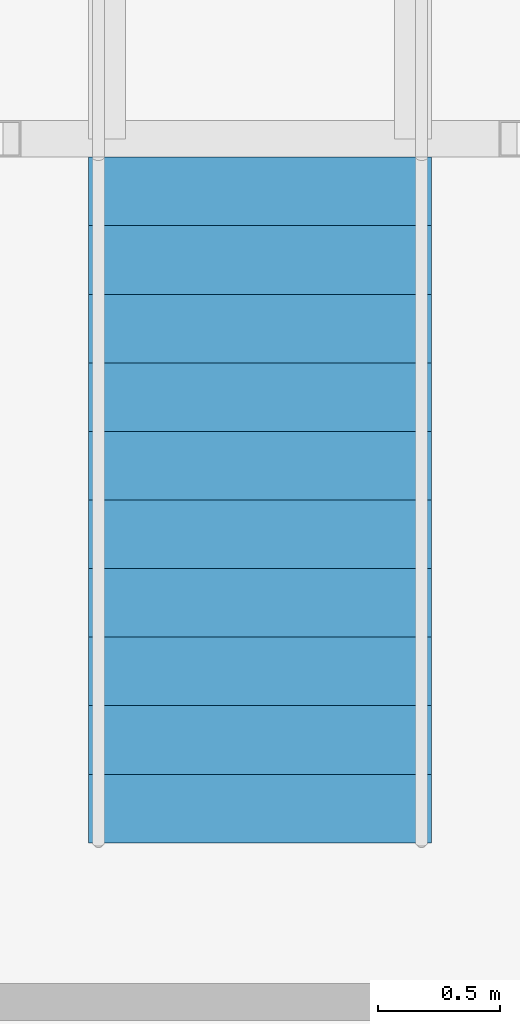
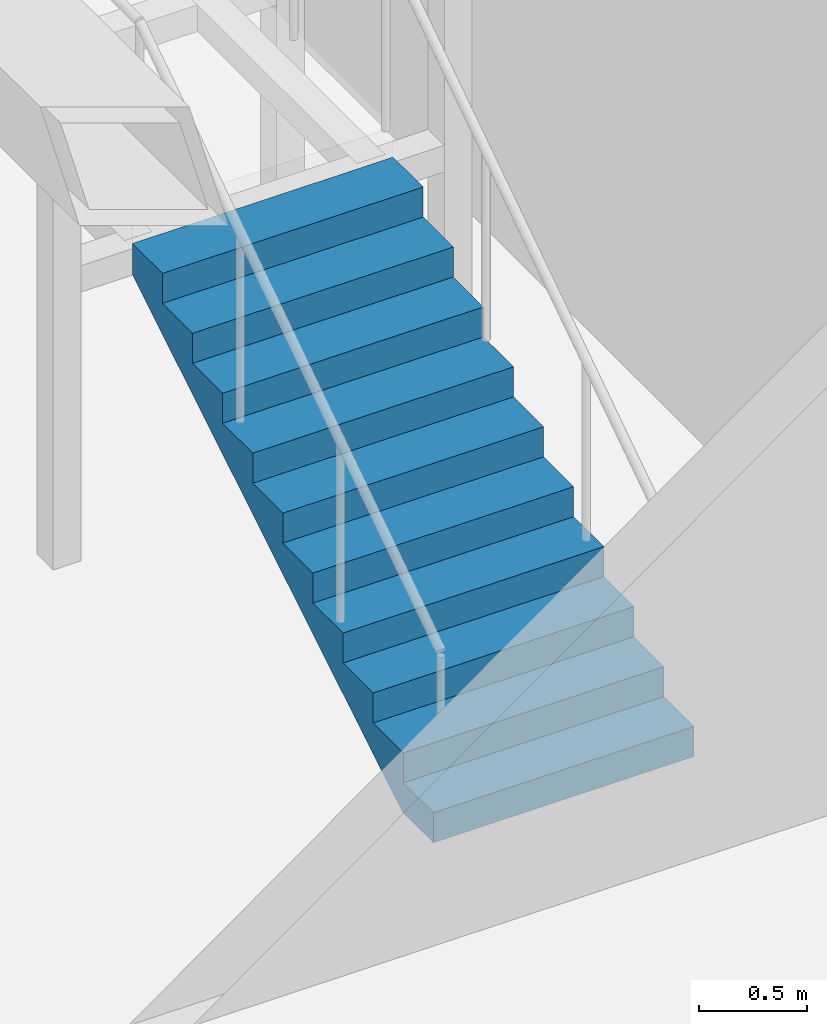
# One storey, part 22 of 28: 1 stair flight, 1 element without a shape of its own.
"""IFC4 building model written with IfcOpenShell, lengths in metres."""

from ifc_helpers import new_model, si_unit, direction, frame, origin, place, context, subcontext, project, spatial, triangles, material, type_object, element, aggregate, save


model = new_model("IFC4")

# Units and contexts
model_context = context("Model", 3, precision=1e-05, world=origin(), true_north=direction((0.0, 1.0)))
body_context = subcontext(model_context, "Body", "Model", "MODEL_VIEW")
ifc_project = project(units=[si_unit("LENGTHUNIT", "METRE"), si_unit("AREAUNIT", "SQUARE_METRE"), si_unit("VOLUMEUNIT", "CUBIC_METRE"), si_unit("PLANEANGLEUNIT", "RADIAN"), si_unit("MASSUNIT", "GRAM", prefix="KILO")], contexts=[model_context])

# Site, building, storey
site_placement = place(None, origin())
site = spatial("IfcSite", under=ifc_project, at=site_placement, CompositionType="ELEMENT")
building_placement = place(site_placement, origin())
building = spatial("IfcBuilding", under=site, at=building_placement, Name="Orbita Commons", CompositionType="ELEMENT")
storey_placement = place(building_placement, frame((0.0, 0.0, 193.60009765625)))
storey = spatial("IfcBuildingStorey", under=building, at=storey_placement, Name="L48", CompositionType="ELEMENT", Elevation=193.60009765625)

# Stair, stair flight
ifc_material_1 = material(Name="Steel ASTM A992 stringers, precast concrete C40/50 terrazzo treads", Category="concrete")
stair_type = type_object("IfcStairType", Name="Feature stair 22 risers 170 x 280 x 1400", PredefinedType="STRAIGHT_RUN_STAIR", material=ifc_material_1)
stair_placement = place(storey_placement, origin())
stair = element("IfcStair", 1, at=stair_placement, inside=storey, type_object=stair_type, Name="Neighbourhood stair L48 to L49", PredefinedType="STRAIGHT_RUN_STAIR")
ifc_material_2 = material(Name="Steel ASTM A992 stringers, precast concrete C40/50 terrazzo treads", Category="concrete")
stair_flight_type = type_object("IfcStairFlightType", Name="Feature stair flight 11 risers 170 x 1400", PredefinedType="STRAIGHT", material=ifc_material_2)
stair_flight_placement = place(storey_placement, frame((13.5, 31.5, 0.0), z_axis=(0.0, 0.0, 1.0), x_axis=(0.0, 1.0, 0.0)))
stair_flight = element("IfcStairFlight", 2, at=stair_flight_placement, type_object=stair_flight_type, Name="FS flight 1", NumberOfRisers=11, NumberOfTreads=10, PredefinedType="STRAIGHT", RiserHeight=0.170454545, TreadLength=0.28, context=body_context, shape_type="Tessellation", body=[
    triangles([(0.0, 0.699951, 0.0), (0.0, 0.699951, 0.021307), (0.0, 0.583293, 0.021307), (0.0, 0.583293, 0.0), (0.0, 0.466634, 0.021307), (0.0, 0.466634, 0.0), (0.0, 0.349976, 0.021307), (0.0, 0.349976, 0.0), (0.0, 0.233317, 0.021307), (0.0, 0.233317, 0.0), (0.0, 0.116659, 0.021307), (0.0, 0.116659, 0.0), (0.0, 0.0, 0.021307), (0.0, 0.0, 0.0), (0.0, -0.116659, 0.021307), (0.0, -0.116659, 0.0), (0.0, -0.233317, 0.021307), (0.0, -0.233317, 0.0), (0.0, -0.349976, 0.021307), (0.0, -0.349976, 0.0), (0.0, -0.466634, 0.021307), (0.0, -0.466634, 0.0), (0.0, -0.583293, 0.021307), (0.0, -0.583293, 0.0), (0.0, -0.699951, 0.021307), (0.0, -0.699951, 0.0), (0.0, 0.699951, 0.042614), (0.0, 0.583293, 0.042614), (0.0, 0.466634, 0.042614), (0.0, 0.349976, 0.042614), (0.0, 0.233317, 0.042614), (0.0, 0.116659, 0.042614), (0.0, 0.0, 0.042614), (0.0, -0.116659, 0.042614), (0.0, -0.233317, 0.042614), (0.0, -0.349976, 0.042614), (0.0, -0.466634, 0.042614), (0.0, -0.583293, 0.042614), (0.0, -0.699951, 0.042614), (0.0, 0.699951, 0.06392), (0.0, 0.583293, 0.06392), (0.0, 0.466634, 0.06392), (0.0, 0.349976, 0.06392), (0.0, 0.233317, 0.06392), (0.0, 0.116659, 0.06392), (0.0, 0.0, 0.06392), (0.0, -0.116659, 0.06392), (0.0, -0.233317, 0.06392), (0.0, -0.349976, 0.06392), (0.0, -0.466634, 0.06392), (0.0, -0.583293, 0.06392), (0.0, -0.699951, 0.06392), (0.0, 0.699951, 0.085227), (0.0, 0.583293, 0.085227), (0.0, 0.466634, 0.085227), (0.0, 0.349976, 0.085227), (0.0, 0.233317, 0.085227), (0.0, 0.116659, 0.085227), (0.0, 0.0, 0.085227), (0.0, -0.116659, 0.085227), (0.0, -0.233317, 0.085227), (0.0, -0.349976, 0.085227), (0.0, -0.466634, 0.085227), (0.0, -0.583293, 0.085227), (0.0, -0.699951, 0.085227), (0.0, 0.699951, 0.106534), (0.0, 0.583293, 0.106534), (0.0, 0.466634, 0.106534), (0.0, 0.349976, 0.106534), (0.0, 0.233317, 0.106534), (0.0, 0.116659, 0.106534), (0.0, 0.0, 0.106534), (0.0, -0.116659, 0.106534), (0.0, -0.233317, 0.106534), (0.0, -0.349976, 0.106534), (0.0, -0.466634, 0.106534), (0.0, -0.583293, 0.106534), (0.0, -0.699951, 0.106534), (0.0, 0.699951, 0.127841), (0.0, 0.583293, 0.127841), (0.0, 0.466634, 0.127841), (0.0, 0.349976, 0.127841), (0.0, 0.233317, 0.127841), (0.0, 0.116659, 0.127841), (0.0, 0.0, 0.127841), (0.0, -0.116659, 0.127841), (0.0, -0.233317, 0.127841), (0.0, -0.349976, 0.127841), (0.0, -0.466634, 0.127841), (0.0, -0.583293, 0.127841), (0.0, -0.699951, 0.127841), (0.0, 0.699951, 0.149148), (0.0, 0.583293, 0.149148), (0.0, 0.466634, 0.149148), (0.0, 0.349976, 0.149148), (0.0, 0.233317, 0.149148), (0.0, 0.116659, 0.149148), (0.0, 0.0, 0.149148), (0.0, -0.116659, 0.149148), (0.0, -0.233317, 0.149148), (0.0, -0.349976, 0.149148), (0.0, -0.466634, 0.149148), (0.0, -0.583293, 0.149148), (0.0, -0.699951, 0.149148), (0.0, 0.699951, 0.170455), (0.0, 0.583293, 0.170455), (0.0, 0.466634, 0.170455), (0.0, 0.349976, 0.170455), (0.0, 0.233317, 0.170455), (0.0, 0.116659, 0.170455), (0.0, 0.0, 0.170455), (0.0, -0.116659, 0.170455), (0.0, -0.233317, 0.170455), (0.0, -0.349976, 0.170455), (0.0, -0.466634, 0.170455), (0.0, -0.583293, 0.170455), (0.0, -0.699951, 0.170455), (0.28, 0.699951, 0.170455), (0.28, 0.583293, 0.170455), (0.28, 0.466634, 0.170455), (0.28, 0.349976, 0.170455), (0.28, 0.233317, 0.170455), (0.28, 0.116659, 0.170455), (0.28, 0.0, 0.170455), (0.28, -0.116659, 0.170455), (0.28, -0.233317, 0.170455), (0.28, -0.349976, 0.170455), (0.28, -0.466634, 0.170455), (0.28, -0.583293, 0.170455), (0.28, -0.699951, 0.170455), (0.28, 0.699951, 0.340909), (0.28, 0.583293, 0.340909), (0.28, 0.466634, 0.340909), (0.28, 0.349976, 0.340909), (0.28, 0.233317, 0.340909), (0.28, 0.116659, 0.340909), (0.28, 0.0, 0.340909), (0.28, -0.116659, 0.340909), (0.28, -0.233317, 0.340909), (0.28, -0.349976, 0.340909), (0.28, -0.466634, 0.340909), (0.28, -0.583293, 0.340909), (0.28, -0.699951, 0.340909), (0.56, 0.699951, 0.340909), (0.56, 0.583293, 0.340909), (0.56, 0.466634, 0.340909), (0.56, 0.349976, 0.340909), (0.56, 0.233317, 0.340909), (0.56, 0.116659, 0.340909), (0.56, 0.0, 0.340909), (0.56, -0.116659, 0.340909), (0.56, -0.233317, 0.340909), (0.56, -0.349976, 0.340909), (0.56, -0.466634, 0.340909), (0.56, -0.583293, 0.340909), (0.56, -0.699951, 0.340909), (0.56, 0.699951, 0.511364), (0.56, 0.583293, 0.511364), (0.56, 0.466634, 0.511364), (0.56, 0.349976, 0.511364), (0.56, 0.233317, 0.511364), (0.56, 0.116659, 0.511364), (0.56, 0.0, 0.511364), (0.56, -0.116659, 0.511364), (0.56, -0.233317, 0.511364), (0.56, -0.349976, 0.511364), (0.56, -0.466634, 0.511364), (0.56, -0.583293, 0.511364), (0.56, -0.699951, 0.511364), (0.84, 0.699951, 0.511364), (0.84, 0.583293, 0.511364), (0.84, 0.466634, 0.511364), (0.84, 0.349976, 0.511364), (0.84, 0.233317, 0.511364), (0.84, 0.116659, 0.511364), (0.84, 0.0, 0.511364), (0.84, -0.116659, 0.511364), (0.84, -0.233317, 0.511364), (0.84, -0.349976, 0.511364), (0.84, -0.466634, 0.511364), (0.84, -0.583293, 0.511364), (0.84, -0.699951, 0.511364), (0.84, 0.699951, 0.681818), (0.84, 0.583293, 0.681818), (0.84, 0.466634, 0.681818), (0.84, 0.349976, 0.681818), (0.84, 0.233317, 0.681818), (0.84, 0.116659, 0.681818), (0.84, 0.0, 0.681818), (0.84, -0.116659, 0.681818), (0.84, -0.233317, 0.681818), (0.84, -0.349976, 0.681818), (0.84, -0.466634, 0.681818), (0.84, -0.583293, 0.681818), (0.84, -0.699951, 0.681818), (1.12, 0.699951, 0.681818), (1.12, 0.583293, 0.681818), (1.12, 0.466634, 0.681818), (1.12, 0.349976, 0.681818), (1.12, 0.233317, 0.681818), (1.12, 0.116659, 0.681818), (1.12, 0.0, 0.681818), (1.12, -0.116659, 0.681818), (1.12, -0.233317, 0.681818), (1.12, -0.349976, 0.681818), (1.12, -0.466634, 0.681818), (1.12, -0.583293, 0.681818), (1.12, -0.699951, 0.681818), (1.12, 0.699951, 0.852273), (1.12, 0.583293, 0.852273), (1.12, 0.466634, 0.852273), (1.12, 0.349976, 0.852273), (1.12, 0.233317, 0.852273), (1.12, 0.116659, 0.852273), (1.12, 0.0, 0.852273), (1.12, -0.116659, 0.852273), (1.12, -0.233317, 0.852273), (1.12, -0.349976, 0.852273), (1.12, -0.466634, 0.852273), (1.12, -0.583293, 0.852273), (1.12, -0.699951, 0.852273), (1.4, 0.699951, 0.852273), (1.4, 0.583293, 0.852273), (1.4, 0.466634, 0.852273), (1.4, 0.349976, 0.852273), (1.4, 0.233317, 0.852273), (1.4, 0.116659, 0.852273), (1.4, 0.0, 0.852273), (1.4, -0.116659, 0.852273), (1.4, -0.233317, 0.852273), (1.4, -0.349976, 0.852273), (1.4, -0.466634, 0.852273), (1.4, -0.583293, 0.852273), (1.4, -0.699951, 0.852273), (1.4, 0.699951, 1.022727), (1.4, 0.583293, 1.022727), (1.4, 0.466634, 1.022727), (1.4, 0.349976, 1.022727), (1.4, 0.233317, 1.022727), (1.4, 0.116659, 1.022727), (1.4, 0.0, 1.022727), (1.4, -0.116659, 1.022727), (1.4, -0.233317, 1.022727), (1.4, -0.349976, 1.022727), (1.4, -0.466634, 1.022727), (1.4, -0.583293, 1.022727), (1.4, -0.699951, 1.022727), (1.68, 0.699951, 1.022727), (1.68, 0.583293, 1.022727), (1.68, 0.466634, 1.022727), (1.68, 0.349976, 1.022727), (1.68, 0.233317, 1.022727), (1.68, 0.116659, 1.022727), (1.68, 0.0, 1.022727), (1.68, -0.116659, 1.022727), (1.68, -0.233317, 1.022727), (1.68, -0.349976, 1.022727), (1.68, -0.466634, 1.022727), (1.68, -0.583293, 1.022727), (1.68, -0.699951, 1.022727), (1.68, 0.699951, 1.193182), (1.68, 0.583293, 1.193182), (1.68, 0.466634, 1.193182), (1.68, 0.349976, 1.193182), (1.68, 0.233317, 1.193182), (1.68, 0.116659, 1.193182), (1.68, 0.0, 1.193182), (1.68, -0.116659, 1.193182), (1.68, -0.233317, 1.193182), (1.68, -0.349976, 1.193182), (1.68, -0.466634, 1.193182), (1.68, -0.583293, 1.193182), (1.68, -0.699951, 1.193182), (1.96, 0.699951, 1.193182), (1.96, 0.583293, 1.193182), (1.96, 0.466634, 1.193182), (1.96, 0.349976, 1.193182), (1.96, 0.233317, 1.193182), (1.96, 0.116659, 1.193182), (1.96, 0.0, 1.193182), (1.96, -0.116659, 1.193182), (1.96, -0.233317, 1.193182), (1.96, -0.349976, 1.193182), (1.96, -0.466634, 1.193182), (1.96, -0.583293, 1.193182), (1.96, -0.699951, 1.193182), (1.96, 0.699951, 1.363636), (1.96, 0.583293, 1.363636), (1.96, 0.466634, 1.363636), (1.96, 0.349976, 1.363636), (1.96, 0.233317, 1.363636), (1.96, 0.116659, 1.363636), (1.96, 0.0, 1.363636), (1.96, -0.116659, 1.363636), (1.96, -0.233317, 1.363636), (1.96, -0.349976, 1.363636), (1.96, -0.466634, 1.363636), (1.96, -0.583293, 1.363636), (1.96, -0.699951, 1.363636), (2.24, 0.699951, 1.363636), (2.24, 0.583293, 1.363636), (2.24, 0.466634, 1.363636), (2.24, 0.349976, 1.363636), (2.24, 0.233317, 1.363636), (2.24, 0.116659, 1.363636), (2.24, 0.0, 1.363636), (2.24, -0.116659, 1.363636), (2.24, -0.233317, 1.363636), (2.24, -0.349976, 1.363636), (2.24, -0.466634, 1.363636), (2.24, -0.583293, 1.363636), (2.24, -0.699951, 1.363636), (2.24, 0.699951, 1.534091), (2.24, 0.583293, 1.534091), (2.24, 0.466634, 1.534091), (2.24, 0.349976, 1.534091), (2.24, 0.233317, 1.534091), (2.24, 0.116659, 1.534091), (2.24, 0.0, 1.534091), (2.24, -0.116659, 1.534091), (2.24, -0.233317, 1.534091), (2.24, -0.349976, 1.534091), (2.24, -0.466634, 1.534091), (2.24, -0.583293, 1.534091), (2.24, -0.699951, 1.534091), (2.52, 0.699951, 1.534091), (2.52, 0.583293, 1.534091), (2.52, 0.466634, 1.534091), (2.52, 0.349976, 1.534091), (2.52, 0.233317, 1.534091), (2.52, 0.116659, 1.534091), (2.52, 0.0, 1.534091), (2.52, -0.116659, 1.534091), (2.52, -0.233317, 1.534091), (2.52, -0.349976, 1.534091), (2.52, -0.466634, 1.534091), (2.52, -0.583293, 1.534091), (2.52, -0.699951, 1.534091), (2.52, 0.699951, 1.704545), (2.52, 0.583293, 1.704545), (2.52, 0.466634, 1.704545), (2.52, 0.349976, 1.704545), (2.52, 0.233317, 1.704545), (2.52, 0.116659, 1.704545), (2.52, 0.0, 1.704545), (2.52, -0.116659, 1.704545), (2.52, -0.233317, 1.704545), (2.52, -0.349976, 1.704545), (2.52, -0.466634, 1.704545), (2.52, -0.583293, 1.704545), (2.52, -0.699951, 1.704545), (2.8, 0.699951, 1.704545), (2.8, 0.583293, 1.704545), (2.8, 0.466634, 1.704545), (2.8, 0.349976, 1.704545), (2.8, 0.233317, 1.704545), (2.8, 0.116659, 1.704545), (2.8, 0.0, 1.704545), (2.8, -0.116659, 1.704545), (2.8, -0.233317, 1.704545), (2.8, -0.349976, 1.704545), (2.8, -0.466634, 1.704545), (2.8, -0.583293, 1.704545), (2.8, -0.699951, 1.704545), (2.8, 0.699951, 1.682609), (2.8, 0.583293, 1.682609), (2.8, 0.466634, 1.682609), (2.8, 0.349976, 1.682609), (2.8, 0.233317, 1.682609), (2.8, 0.116659, 1.682609), (2.8, 0.0, 1.682609), (2.8, -0.116659, 1.682609), (2.8, -0.233317, 1.682609), (2.8, -0.349976, 1.682609), (2.8, -0.466634, 1.682609), (2.8, -0.583293, 1.682609), (2.8, -0.699951, 1.682609), (2.8, 0.699951, 1.660672), (2.8, 0.583293, 1.660672), (2.8, 0.466634, 1.660672), (2.8, 0.349976, 1.660672), (2.8, 0.233317, 1.660672), (2.8, 0.116659, 1.660672), (2.8, 0.0, 1.660672), (2.8, -0.116659, 1.660672), (2.8, -0.233317, 1.660672), (2.8, -0.349976, 1.660672), (2.8, -0.466634, 1.660672), (2.8, -0.583293, 1.660672), (2.8, -0.699951, 1.660672), (2.8, 0.699951, 1.638735), (2.8, 0.583293, 1.638735), (2.8, 0.466634, 1.638735), (2.8, 0.349976, 1.638735), (2.8, 0.233317, 1.638735), (2.8, 0.116659, 1.638735), (2.8, 0.0, 1.638735), (2.8, -0.116659, 1.638735), (2.8, -0.233317, 1.638735), (2.8, -0.349976, 1.638735), (2.8, -0.466634, 1.638735), (2.8, -0.583293, 1.638735), (2.8, -0.699951, 1.638735), (2.8, 0.699951, 1.616798), (2.8, 0.583293, 1.616798), (2.8, 0.466634, 1.616798), (2.8, 0.349976, 1.616798), (2.8, 0.233317, 1.616798), (2.8, 0.116659, 1.616798), (2.8, 0.0, 1.616798), (2.8, -0.116659, 1.616798), (2.8, -0.233317, 1.616798), (2.8, -0.349976, 1.616798), (2.8, -0.466634, 1.616798), (2.8, -0.583293, 1.616798), (2.8, -0.699951, 1.616798), (2.8, 0.699951, 1.594861), (2.8, 0.583293, 1.594861), (2.8, 0.466634, 1.594861), (2.8, 0.349976, 1.594861), (2.8, 0.233317, 1.594861), (2.8, 0.116659, 1.594861), (2.8, 0.0, 1.594861), (2.8, -0.116659, 1.594861), (2.8, -0.233317, 1.594861), (2.8, -0.349976, 1.594861), (2.8, -0.466634, 1.594861), (2.8, -0.583293, 1.594861), (2.8, -0.699951, 1.594861), (2.8, 0.699951, 1.572925), (2.8, 0.583293, 1.572925), (2.8, 0.466634, 1.572925), (2.8, 0.349976, 1.572925), (2.8, 0.233317, 1.572925), (2.8, 0.116659, 1.572925), (2.8, 0.0, 1.572925), (2.8, -0.116659, 1.572925), (2.8, -0.233317, 1.572925), (2.8, -0.349976, 1.572925), (2.8, -0.466634, 1.572925), (2.8, -0.583293, 1.572925), (2.8, -0.699951, 1.572925), (2.8, 0.699951, 1.550988), (2.8, 0.583293, 1.550988), (2.8, 0.466634, 1.550988), (2.8, 0.349976, 1.550988), (2.8, 0.233317, 1.550988), (2.8, 0.116659, 1.550988), (2.8, 0.0, 1.550988), (2.8, -0.116659, 1.550988), (2.8, -0.233317, 1.550988), (2.8, -0.349976, 1.550988), (2.8, -0.466634, 1.550988), (2.8, -0.583293, 1.550988), (2.8, -0.699951, 1.550988), (2.8, 0.699951, 1.529051), (2.8, 0.583293, 1.529051), (2.8, 0.466634, 1.529051), (2.8, 0.349976, 1.529051), (2.8, 0.233317, 1.529051), (2.8, 0.116659, 1.529051), (2.8, 0.0, 1.529051), (2.8, -0.116659, 1.529051), (2.8, -0.233317, 1.529051), (2.8, -0.349976, 1.529051), (2.8, -0.466634, 1.529051), (2.8, -0.583293, 1.529051), (2.8, -0.699951, 1.529051), (0.288279, 0.699951, 0.0), (0.288279, 0.583293, 0.0), (0.288279, 0.466634, 0.0), (0.288279, 0.349976, 0.0), (0.288279, 0.233317, 0.0), (0.288279, 0.116659, 0.0), (0.288279, 0.0, 0.0), (0.288279, -0.116659, 0.0), (0.288279, -0.233317, 0.0), (0.288279, -0.349976, 0.0), (0.288279, -0.466634, 0.0), (0.288279, -0.583293, 0.0), (0.288279, -0.699951, 0.0)], [[3, 2, 1], [4, 3, 1], [5, 3, 4], [6, 5, 4], [7, 5, 6], [8, 7, 6], [9, 7, 8], [10, 9, 8], [11, 9, 10], [12, 11, 10], [13, 11, 12], [14, 13, 12], [15, 13, 14], [16, 15, 14], [17, 15, 16], [18, 17, 16], [19, 17, 18], [20, 19, 18], [21, 19, 20], [22, 21, 20], [23, 21, 22], [24, 23, 22], [25, 23, 24], [26, 25, 24], [28, 27, 2], [3, 28, 2], [29, 28, 3], [5, 29, 3], [30, 29, 5], [7, 30, 5], [31, 30, 7], [9, 31, 7], [32, 31, 9], [11, 32, 9], [33, 32, 11], [13, 33, 11], [34, 33, 13], [15, 34, 13], [35, 34, 15], [17, 35, 15], [36, 35, 17], [19, 36, 17], [37, 36, 19], [21, 37, 19], [38, 37, 21], [23, 38, 21], [39, 38, 23], [25, 39, 23], [41, 40, 27], [28, 41, 27], [42, 41, 28], [29, 42, 28], [43, 42, 29], [30, 43, 29], [44, 43, 30], [31, 44, 30], [45, 44, 31], [32, 45, 31], [46, 45, 32], [33, 46, 32], [47, 46, 33], [34, 47, 33], [48, 47, 34], [35, 48, 34], [49, 48, 35], [36, 49, 35], [50, 49, 36], [37, 50, 36], [51, 50, 37], [38, 51, 37], [52, 51, 38], [39, 52, 38], [54, 53, 40], [41, 54, 40], [55, 54, 41], [42, 55, 41], [56, 55, 42], [43, 56, 42], [57, 56, 43], [44, 57, 43], [58, 57, 44], [45, 58, 44], [59, 58, 45], [46, 59, 45], [60, 59, 46], [47, 60, 46], [61, 60, 47], [48, 61, 47], [62, 61, 48], [49, 62, 48], [63, 62, 49], [50, 63, 49], [64, 63, 50], [51, 64, 50], [65, 64, 51], [52, 65, 51], [67, 66, 53], [54, 67, 53], [68, 67, 54], [55, 68, 54], [69, 68, 55], [56, 69, 55], [70, 69, 56], [57, 70, 56], [71, 70, 57], [58, 71, 57], [72, 71, 58], [59, 72, 58], [73, 72, 59], [60, 73, 59], [74, 73, 60], [61, 74, 60], [75, 74, 61], [62, 75, 61], [76, 75, 62], [63, 76, 62], [77, 76, 63], [64, 77, 63], [78, 77, 64], [65, 78, 64], [80, 79, 66], [67, 80, 66], [81, 80, 67], [68, 81, 67], [82, 81, 68], [69, 82, 68], [83, 82, 69], [70, 83, 69], [84, 83, 70], [71, 84, 70], [85, 84, 71], [72, 85, 71], [86, 85, 72], [73, 86, 72], [87, 86, 73], [74, 87, 73], [88, 87, 74], [75, 88, 74], [89, 88, 75], [76, 89, 75], [90, 89, 76], [77, 90, 76], [91, 90, 77], [78, 91, 77], [93, 92, 79], [80, 93, 79], [94, 93, 80], [81, 94, 80], [95, 94, 81], [82, 95, 81], [96, 95, 82], [83, 96, 82], [97, 96, 83], [84, 97, 83], [98, 97, 84], [85, 98, 84], [99, 98, 85], [86, 99, 85], [100, 99, 86], [87, 100, 86], [101, 100, 87], [88, 101, 87], [102, 101, 88], [89, 102, 88], [103, 102, 89], [90, 103, 89], [104, 103, 90], [91, 104, 90], [106, 105, 92], [93, 106, 92], [107, 106, 93], [94, 107, 93], [108, 107, 94], [95, 108, 94], [109, 108, 95], [96, 109, 95], [110, 109, 96], [97, 110, 96], [111, 110, 97], [98, 111, 97], [112, 111, 98], [99, 112, 98], [113, 112, 99], [100, 113, 99], [114, 113, 100], [101, 114, 100], [115, 114, 101], [102, 115, 101], [116, 115, 102], [103, 116, 102], [117, 116, 103], [104, 117, 103], [119, 118, 105], [106, 119, 105], [120, 119, 106], [107, 120, 106], [121, 120, 107], [108, 121, 107], [122, 121, 108], [109, 122, 108], [123, 122, 109], [110, 123, 109], [124, 123, 110], [111, 124, 110], [125, 124, 111], [112, 125, 111], [126, 125, 112], [113, 126, 112], [127, 126, 113], [114, 127, 113], [128, 127, 114], [115, 128, 114], [129, 128, 115], [116, 129, 115], [130, 129, 116], [117, 130, 116], [132, 131, 118], [119, 132, 118], [133, 132, 119], [120, 133, 119], [134, 133, 120], [121, 134, 120], [135, 134, 121], [122, 135, 121], [136, 135, 122], [123, 136, 122], [137, 136, 123], [124, 137, 123], [138, 137, 124], [125, 138, 124], [139, 138, 125], [126, 139, 125], [140, 139, 126], [127, 140, 126], [141, 140, 127], [128, 141, 127], [142, 141, 128], [129, 142, 128], [143, 142, 129], [130, 143, 129], [145, 144, 131], [132, 145, 131], [146, 145, 132], [133, 146, 132], [147, 146, 133], [134, 147, 133], [148, 147, 134], [135, 148, 134], [149, 148, 135], [136, 149, 135], [150, 149, 136], [137, 150, 136], [151, 150, 137], [138, 151, 137], [152, 151, 138], [139, 152, 138], [153, 152, 139], [140, 153, 139], [154, 153, 140], [141, 154, 140], [155, 154, 141], [142, 155, 141], [156, 155, 142], [143, 156, 142], [158, 157, 144], [145, 158, 144], [159, 158, 145], [146, 159, 145], [160, 159, 146], [147, 160, 146], [161, 160, 147], [148, 161, 147], [162, 161, 148], [149, 162, 148], [163, 162, 149], [150, 163, 149], [164, 163, 150], [151, 164, 150], [165, 164, 151], [152, 165, 151], [166, 165, 152], [153, 166, 152], [167, 166, 153], [154, 167, 153], [168, 167, 154], [155, 168, 154], [169, 168, 155], [156, 169, 155], [171, 170, 157], [158, 171, 157], [172, 171, 158], [159, 172, 158], [173, 172, 159], [160, 173, 159], [174, 173, 160], [161, 174, 160], [175, 174, 161], [162, 175, 161], [176, 175, 162], [163, 176, 162], [177, 176, 163], [164, 177, 163], [178, 177, 164], [165, 178, 164], [179, 178, 165], [166, 179, 165], [180, 179, 166], [167, 180, 166], [181, 180, 167], [168, 181, 167], [182, 181, 168], [169, 182, 168], [184, 183, 170], [171, 184, 170], [185, 184, 171], [172, 185, 171], [186, 185, 172], [173, 186, 172], [187, 186, 173], [174, 187, 173], [188, 187, 174], [175, 188, 174], [189, 188, 175], [176, 189, 175], [190, 189, 176], [177, 190, 176], [191, 190, 177], [178, 191, 177], [192, 191, 178], [179, 192, 178], [193, 192, 179], [180, 193, 179], [194, 193, 180], [181, 194, 180], [195, 194, 181], [182, 195, 181], [197, 196, 183], [184, 197, 183], [198, 197, 184], [185, 198, 184], [199, 198, 185], [186, 199, 185], [200, 199, 186], [187, 200, 186], [201, 200, 187], [188, 201, 187], [202, 201, 188], [189, 202, 188], [203, 202, 189], [190, 203, 189], [204, 203, 190], [191, 204, 190], [205, 204, 191], [192, 205, 191], [206, 205, 192], [193, 206, 192], [207, 206, 193], [194, 207, 193], [208, 207, 194], [195, 208, 194], [210, 209, 196], [197, 210, 196], [211, 210, 197], [198, 211, 197], [212, 211, 198], [199, 212, 198], [213, 212, 199], [200, 213, 199], [214, 213, 200], [201, 214, 200], [215, 214, 201], [202, 215, 201], [216, 215, 202], [203, 216, 202], [217, 216, 203], [204, 217, 203], [218, 217, 204], [205, 218, 204], [219, 218, 205], [206, 219, 205], [220, 219, 206], [207, 220, 206], [221, 220, 207], [208, 221, 207], [223, 222, 209], [210, 223, 209], [224, 223, 210], [211, 224, 210], [225, 224, 211], [212, 225, 211], [226, 225, 212], [213, 226, 212], [227, 226, 213], [214, 227, 213], [228, 227, 214], [215, 228, 214], [229, 228, 215], [216, 229, 215], [230, 229, 216], [217, 230, 216], [231, 230, 217], [218, 231, 217], [232, 231, 218], [219, 232, 218], [233, 232, 219], [220, 233, 219], [234, 233, 220], [221, 234, 220], [236, 235, 222], [223, 236, 222], [237, 236, 223], [224, 237, 223], [238, 237, 224], [225, 238, 224], [239, 238, 225], [226, 239, 225], [240, 239, 226], [227, 240, 226], [241, 240, 227], [228, 241, 227], [242, 241, 228], [229, 242, 228], [243, 242, 229], [230, 243, 229], [244, 243, 230], [231, 244, 230], [245, 244, 231], [232, 245, 231], [246, 245, 232], [233, 246, 232], [247, 246, 233], [234, 247, 233], [249, 248, 235], [236, 249, 235], [250, 249, 236], [237, 250, 236], [251, 250, 237], [238, 251, 237], [252, 251, 238], [239, 252, 238], [253, 252, 239], [240, 253, 239], [254, 253, 240], [241, 254, 240], [255, 254, 241], [242, 255, 241], [256, 255, 242], [243, 256, 242], [257, 256, 243], [244, 257, 243], [258, 257, 244], [245, 258, 244], [259, 258, 245], [246, 259, 245], [260, 259, 246], [247, 260, 246], [262, 261, 248], [249, 262, 248], [263, 262, 249], [250, 263, 249], [264, 263, 250], [251, 264, 250], [265, 264, 251], [252, 265, 251], [266, 265, 252], [253, 266, 252], [267, 266, 253], [254, 267, 253], [268, 267, 254], [255, 268, 254], [269, 268, 255], [256, 269, 255], [270, 269, 256], [257, 270, 256], [271, 270, 257], [258, 271, 257], [272, 271, 258], [259, 272, 258], [273, 272, 259], [260, 273, 259], [275, 274, 261], [262, 275, 261], [276, 275, 262], [263, 276, 262], [277, 276, 263], [264, 277, 263], [278, 277, 264], [265, 278, 264], [279, 278, 265], [266, 279, 265], [280, 279, 266], [267, 280, 266], [281, 280, 267], [268, 281, 267], [282, 281, 268], [269, 282, 268], [283, 282, 269], [270, 283, 269], [284, 283, 270], [271, 284, 270], [285, 284, 271], [272, 285, 271], [286, 285, 272], [273, 286, 272], [288, 287, 274], [275, 288, 274], [289, 288, 275], [276, 289, 275], [290, 289, 276], [277, 290, 276], [291, 290, 277], [278, 291, 277], [292, 291, 278], [279, 292, 278], [293, 292, 279], [280, 293, 279], [294, 293, 280], [281, 294, 280], [295, 294, 281], [282, 295, 281], [296, 295, 282], [283, 296, 282], [297, 296, 283], [284, 297, 283], [298, 297, 284], [285, 298, 284], [299, 298, 285], [286, 299, 285], [301, 300, 287], [288, 301, 287], [302, 301, 288], [289, 302, 288], [303, 302, 289], [290, 303, 289], [304, 303, 290], [291, 304, 290], [305, 304, 291], [292, 305, 291], [306, 305, 292], [293, 306, 292], [307, 306, 293], [294, 307, 293], [308, 307, 294], [295, 308, 294], [309, 308, 295], [296, 309, 295], [310, 309, 296], [297, 310, 296], [311, 310, 297], [298, 311, 297], [312, 311, 298], [299, 312, 298], [314, 313, 300], [301, 314, 300], [315, 314, 301], [302, 315, 301], [316, 315, 302], [303, 316, 302], [317, 316, 303], [304, 317, 303], [318, 317, 304], [305, 318, 304], [319, 318, 305], [306, 319, 305], [320, 319, 306], [307, 320, 306], [321, 320, 307], [308, 321, 307], [322, 321, 308], [309, 322, 308], [323, 322, 309], [310, 323, 309], [324, 323, 310], [311, 324, 310], [325, 324, 311], [312, 325, 311], [327, 326, 313], [314, 327, 313], [328, 327, 314], [315, 328, 314], [329, 328, 315], [316, 329, 315], [330, 329, 316], [317, 330, 316], [331, 330, 317], [318, 331, 317], [332, 331, 318], [319, 332, 318], [333, 332, 319], [320, 333, 319], [334, 333, 320], [321, 334, 320], [335, 334, 321], [322, 335, 321], [336, 335, 322], [323, 336, 322], [337, 336, 323], [324, 337, 323], [338, 337, 324], [325, 338, 324], [340, 339, 326], [327, 340, 326], [341, 340, 327], [328, 341, 327], [342, 341, 328], [329, 342, 328], [343, 342, 329], [330, 343, 329], [344, 343, 330], [331, 344, 330], [345, 344, 331], [332, 345, 331], [346, 345, 332], [333, 346, 332], [347, 346, 333], [334, 347, 333], [348, 347, 334], [335, 348, 334], [349, 348, 335], [336, 349, 335], [350, 349, 336], [337, 350, 336], [351, 350, 337], [338, 351, 337], [353, 352, 339], [340, 353, 339], [354, 353, 340], [341, 354, 340], [355, 354, 341], [342, 355, 341], [356, 355, 342], [343, 356, 342], [357, 356, 343], [344, 357, 343], [358, 357, 344], [345, 358, 344], [359, 358, 345], [346, 359, 345], [360, 359, 346], [347, 360, 346], [361, 360, 347], [348, 361, 347], [362, 361, 348], [349, 362, 348], [363, 362, 349], [350, 363, 349], [364, 363, 350], [351, 364, 350], [366, 365, 352], [353, 366, 352], [367, 366, 353], [354, 367, 353], [368, 367, 354], [355, 368, 354], [369, 368, 355], [356, 369, 355], [370, 369, 356], [357, 370, 356], [371, 370, 357], [358, 371, 357], [372, 371, 358], [359, 372, 358], [373, 372, 359], [360, 373, 359], [374, 373, 360], [361, 374, 360], [375, 374, 361], [362, 375, 361], [376, 375, 362], [363, 376, 362], [377, 376, 363], [364, 377, 363], [379, 378, 365], [366, 379, 365], [380, 379, 366], [367, 380, 366], [381, 380, 367], [368, 381, 367], [382, 381, 368], [369, 382, 368], [383, 382, 369], [370, 383, 369], [384, 383, 370], [371, 384, 370], [385, 384, 371], [372, 385, 371], [386, 385, 372], [373, 386, 372], [387, 386, 373], [374, 387, 373], [388, 387, 374], [375, 388, 374], [389, 388, 375], [376, 389, 375], [390, 389, 376], [377, 390, 376], [392, 391, 378], [379, 392, 378], [393, 392, 379], [380, 393, 379], [394, 393, 380], [381, 394, 380], [395, 394, 381], [382, 395, 381], [396, 395, 382], [383, 396, 382], [397, 396, 383], [384, 397, 383], [398, 397, 384], [385, 398, 384], [399, 398, 385], [386, 399, 385], [400, 399, 386], [387, 400, 386], [401, 400, 387], [388, 401, 387], [402, 401, 388], [389, 402, 388], [403, 402, 389], [390, 403, 389], [405, 404, 391], [392, 405, 391], [406, 405, 392], [393, 406, 392], [407, 406, 393], [394, 407, 393], [408, 407, 394], [395, 408, 394], [409, 408, 395], [396, 409, 395], [410, 409, 396], [397, 410, 396], [411, 410, 397], [398, 411, 397], [412, 411, 398], [399, 412, 398], [413, 412, 399], [400, 413, 399], [414, 413, 400], [401, 414, 400], [415, 414, 401], [402, 415, 401], [416, 415, 402], [403, 416, 402], [418, 417, 404], [405, 418, 404], [419, 418, 405], [406, 419, 405], [420, 419, 406], [407, 420, 406], [421, 420, 407], [408, 421, 407], [422, 421, 408], [409, 422, 408], [423, 422, 409], [410, 423, 409], [424, 423, 410], [411, 424, 410], [425, 424, 411], [412, 425, 411], [426, 425, 412], [413, 426, 412], [427, 426, 413], [414, 427, 413], [428, 427, 414], [415, 428, 414], [429, 428, 415], [416, 429, 415], [431, 430, 417], [418, 431, 417], [432, 431, 418], [419, 432, 418], [433, 432, 419], [420, 433, 419], [434, 433, 420], [421, 434, 420], [435, 434, 421], [422, 435, 421], [436, 435, 422], [423, 436, 422], [437, 436, 423], [424, 437, 423], [438, 437, 424], [425, 438, 424], [439, 438, 425], [426, 439, 425], [440, 439, 426], [427, 440, 426], [441, 440, 427], [428, 441, 427], [442, 441, 428], [429, 442, 428], [444, 443, 430], [431, 444, 430], [445, 444, 431], [432, 445, 431], [446, 445, 432], [433, 446, 432], [447, 446, 433], [434, 447, 433], [448, 447, 434], [435, 448, 434], [449, 448, 435], [436, 449, 435], [450, 449, 436], [437, 450, 436], [451, 450, 437], [438, 451, 437], [452, 451, 438], [439, 452, 438], [453, 452, 439], [440, 453, 439], [454, 453, 440], [441, 454, 440], [455, 454, 441], [442, 455, 441], [457, 456, 443], [444, 457, 443], [458, 457, 444], [445, 458, 444], [459, 458, 445], [446, 459, 445], [460, 459, 446], [447, 460, 446], [461, 460, 447], [448, 461, 447], [462, 461, 448], [449, 462, 448], [463, 462, 449], [450, 463, 449], [464, 463, 450], [451, 464, 450], [465, 464, 451], [452, 465, 451], [466, 465, 452], [453, 466, 452], [467, 466, 453], [454, 467, 453], [468, 467, 454], [455, 468, 454], [470, 469, 456], [457, 470, 456], [471, 470, 457], [458, 471, 457], [472, 471, 458], [459, 472, 458], [473, 472, 459], [460, 473, 459], [474, 473, 460], [461, 474, 460], [475, 474, 461], [462, 475, 461], [476, 475, 462], [463, 476, 462], [477, 476, 463], [464, 477, 463], [478, 477, 464], [465, 478, 464], [479, 478, 465], [466, 479, 465], [480, 479, 466], [467, 480, 466], [481, 480, 467], [468, 481, 467], [4, 1, 469], [470, 4, 469], [6, 4, 470], [471, 6, 470], [8, 6, 471], [472, 8, 471], [10, 8, 472], [473, 10, 472], [12, 10, 473], [474, 12, 473], [14, 12, 474], [475, 14, 474], [16, 14, 475], [476, 16, 475], [18, 16, 476], [477, 18, 476], [20, 18, 477], [478, 20, 477], [22, 20, 478], [479, 22, 478], [24, 22, 479], [480, 24, 479], [26, 24, 480], [481, 26, 480], [456, 469, 1], [26, 481, 468], [443, 456, 1], [26, 468, 455], [430, 443, 1], [26, 455, 442], [417, 430, 1], [26, 442, 429], [404, 417, 1], [26, 429, 416], [391, 404, 1], [26, 416, 403], [378, 391, 1], [26, 403, 390], [365, 378, 1], [26, 390, 377], [339, 352, 365], [377, 364, 351], [326, 339, 365], [377, 351, 338], [300, 313, 326], [338, 325, 312], [300, 326, 365], [377, 338, 312], [274, 287, 300], [312, 299, 286], [274, 300, 365], [377, 312, 286], [248, 261, 274], [286, 273, 260], [248, 274, 365], [377, 286, 260], [222, 235, 248], [260, 247, 234], [222, 248, 365], [377, 260, 234], [196, 209, 222], [234, 221, 208], [196, 222, 365], [377, 234, 208], [170, 183, 196], [208, 195, 182], [170, 196, 365], [377, 208, 182], [144, 157, 170], [182, 169, 156], [144, 170, 365], [377, 182, 156], [118, 131, 144], [156, 143, 130], [118, 144, 365], [377, 156, 130], [118, 365, 1], [26, 377, 130], [92, 105, 118], [130, 117, 104], [79, 92, 118], [130, 104, 91], [66, 79, 118], [130, 91, 78], [53, 66, 118], [130, 78, 65], [40, 53, 118], [130, 65, 52], [27, 40, 118], [130, 52, 39], [2, 27, 118], [130, 39, 25], [1, 2, 118], [130, 25, 26]], closed=True),
])
aggregate(stair, [stair_flight])

save(model, "model.ifc")
